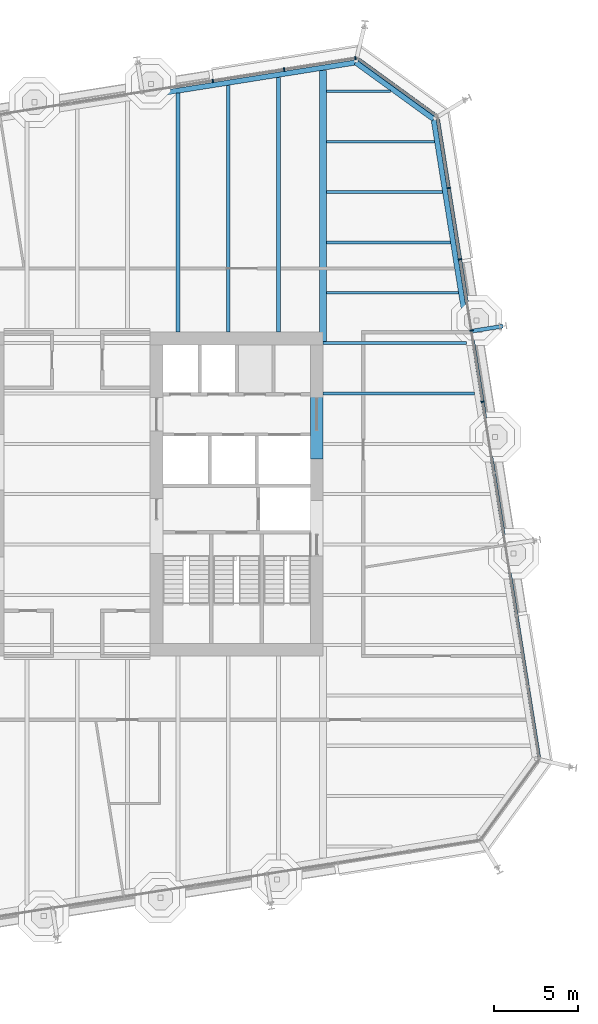
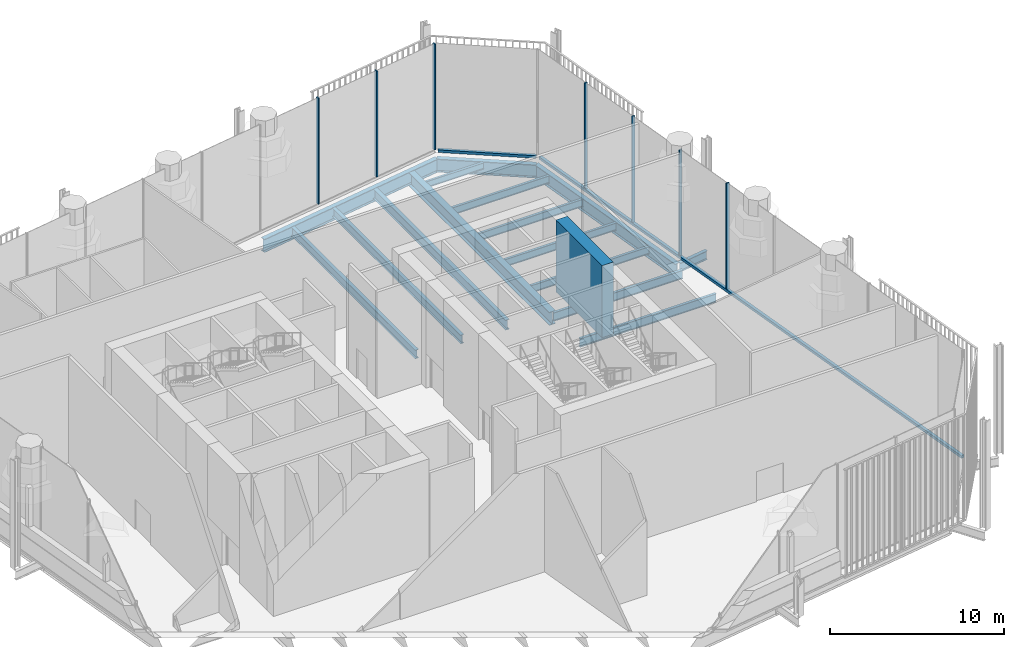
# One storey, part 8 of 19: 16 beams, 9 members, 3 elements without a shape of their own.
"""IFC4 building model written with IfcOpenShell, lengths in metres."""

from ifc_helpers import new_model, si_unit, direction, frame, origin, origin_2d, place, context, subcontext, project, spatial, rectangle, i_section, extrude, material, layer, layer_set, material_profile, profile_set, type_object, element, aggregate, save


model = new_model("IFC4")

# Units and contexts
model_context = context("Model", 3, precision=1e-05, world=origin(), true_north=direction((0.0, 1.0)))
body_context = subcontext(model_context, "Body", "Model", "MODEL_VIEW")
ifc_project = project(units=[si_unit("LENGTHUNIT", "METRE"), si_unit("AREAUNIT", "SQUARE_METRE"), si_unit("VOLUMEUNIT", "CUBIC_METRE"), si_unit("PLANEANGLEUNIT", "RADIAN"), si_unit("MASSUNIT", "GRAM", prefix="KILO")], contexts=[model_context])

# Site, building, storey
site_placement = place(None, origin())
site = spatial("IfcSite", under=ifc_project, at=site_placement, CompositionType="ELEMENT")
building_placement = place(site_placement, origin())
building = spatial("IfcBuilding", under=site, at=building_placement, Name="Millrace Tower", CompositionType="ELEMENT")
storey_placement = place(building_placement, frame((0.0, 0.0, 172.39990234375)))
storey = spatial("IfcBuildingStorey", under=building, at=storey_placement, Name="L39", CompositionType="ELEMENT", Elevation=172.39990234375)

# Curtain wall, members
ifc_material_1 = material(Name="Aluminium and glass", Category="aluminium")
ifc_layer = layer(ifc_material_1, 0.199951171875)
ifc_layer_set = layer_set([ifc_layer], Name="Aluminium and glass")
curtain_wall_type = type_object("IfcCurtainWallType", Name="CW-4 sky garden winter glazing", PredefinedType="NOTDEFINED", material=ifc_layer_set)
placement = place(storey_placement, origin())
curtain_wall_1 = element("IfcCurtainWall", 1, at=placement, inside=storey, type_object=curtain_wall_type, Name="Curtain wall C-F04 L39", PredefinedType="NOTDEFINED")
ifc_material_2 = material(Name="Aluminium", Category="aluminium")
ifc_material_profile_1 = material_profile(ifc_material_2, rectangle(XDim=0.080078125, YDim=0.199951171875, at=origin_2d()))
ifc_profile_set_1 = profile_set([ifc_material_profile_1], Name="Aluminium")
member_type_1 = type_object("IfcMemberType", Name="CW-4 sky garden winter glazing mullion", PredefinedType="MULLION", material=ifc_profile_set_1)
member_1_placement = place(storey_placement, frame((24.166748046875, 5.5048828125, 0.18017578125), z_axis=(0.0, 0.0, 1.0), x_axis=(-0.15643447328, 0.98768833929, 0.0)))
member_1 = element("IfcMember", 2, at=member_1_placement, type_object=member_type_1, Name="CW4 mullion C-F04.6", PredefinedType="MULLION", context=body_context, shape_type="SweptSolid", body=[
    extrude(rectangle(XDim=0.080078125, YDim=0.199951171875, at=origin_2d()), origin(), (0.0, 0.0, 1.0), 7.419921875),
])
member_2_placement = place(storey_placement, frame((23.494140625, 9.751953125, 0.18017578125), z_axis=(0.0, 0.0, 1.0), x_axis=(-0.15643447328, 0.98768833929, 0.0)))
member_2 = element("IfcMember", 3, at=member_2_placement, type_object=member_type_1, Name="CW4 mullion C-F04.7", PredefinedType="MULLION", context=body_context, shape_type="SweptSolid", body=[
    extrude(rectangle(XDim=0.080078125, YDim=0.199951171875, at=origin_2d()), origin(), (0.0, 0.0, 1.0), 7.419921875),
])
member_3_placement = place(storey_placement, frame((22.821533203125, 13.9990234375, 0.18017578125), z_axis=(0.0, 0.0, 1.0), x_axis=(-0.15643447328, 0.98768833929, 0.0)))
member_3 = element("IfcMember", 4, at=member_3_placement, type_object=member_type_1, Name="CW4 mullion C-F04.8", PredefinedType="MULLION", context=body_context, shape_type="SweptSolid", body=[
    extrude(rectangle(XDim=0.080078125, YDim=0.199951171875, at=origin_2d()), origin(), (0.0, 0.0, 1.0), 7.419921875),
])
member_4_placement = place(storey_placement, frame((22.14892578125, 18.24609375, 0.18017578125), z_axis=(0.0, 0.0, 1.0), x_axis=(-0.15643447328, 0.98768833929, 0.0)))
member_4 = element("IfcMember", 5, at=member_4_placement, type_object=member_type_1, Name="CW4 mullion C-F04.9", PredefinedType="MULLION", context=body_context, shape_type="SweptSolid", body=[
    extrude(rectangle(XDim=0.080078125, YDim=0.199951171875, at=origin_2d()), origin(), (0.0, 0.0, 1.0), 7.419921875),
])

curtain_wall_2 = element("IfcCurtainWall", 6, at=placement, inside=storey, type_object=curtain_wall_type, Name="Curtain wall C-F06 L39", PredefinedType="NOTDEFINED")
member_5_placement = place(storey_placement, frame((16.580322265625, 25.980224609375, 0.18017578125), z_axis=(0.0, 0.0, 1.0), x_axis=(-0.98768833929, -0.15643447328, 0.0)))
member_5 = element("IfcMember", 7, at=member_5_placement, type_object=member_type_1, Name="CW4 mullion C-F06.1", PredefinedType="MULLION", context=body_context, shape_type="SweptSolid", body=[
    extrude(rectangle(XDim=0.080078125, YDim=0.199951171875, at=origin_2d()), origin(), (0.0, 0.0, 1.0), 7.419921875),
])
member_6_placement = place(storey_placement, frame((12.333251953125, 25.3076171875, 0.18017578125), z_axis=(0.0, 0.0, 1.0), x_axis=(-0.98768833929, -0.15643447328, 0.0)))
member_6 = element("IfcMember", 8, at=member_6_placement, type_object=member_type_1, Name="CW4 mullion C-F06.2", PredefinedType="MULLION", context=body_context, shape_type="SweptSolid", body=[
    extrude(rectangle(XDim=0.080078125, YDim=0.199951171875, at=origin_2d()), origin(), (0.0, 0.0, 1.0), 7.419921875),
])
member_7_placement = place(storey_placement, frame((8.086181640625, 24.634765625, 0.18017578125), z_axis=(0.0, 0.0, 1.0), x_axis=(-0.98768833929, -0.15643447328, 0.0)))
member_7 = element("IfcMember", 9, at=member_7_placement, type_object=member_type_1, Name="CW4 mullion C-F06.3", PredefinedType="MULLION", context=body_context, shape_type="SweptSolid", body=[
    extrude(rectangle(XDim=0.080078125, YDim=0.199951171875, at=origin_2d()), origin(), (0.0, 0.0, 1.0), 7.419921875),
])
aggregate(curtain_wall_2, [member_5, member_6, member_7])

# Member
ifc_material_3 = material(Name="Aluminium", Category="aluminium")
ifc_material_profile_2 = material_profile(ifc_material_3, rectangle(XDim=0.199951171875, YDim=0.179931640625, at=origin_2d()))
ifc_profile_set_2 = profile_set([ifc_material_profile_2], Name="Aluminium")
member_type_2 = type_object("IfcMemberType", Name="CW-4 sky garden winter glazing transom", PredefinedType="USERDEFINED", material=ifc_profile_set_2)
member_8_placement = place(storey_placement, frame((27.520751953125, -15.671142578125, 0.090087890625), z_axis=(-0.156434402447, 0.987688350509, 0.0), x_axis=(-0.987688350509, -0.156434402447, 0.0)))
member_8 = element("IfcMember", 10, at=member_8_placement, type_object=member_type_2, Name="CW4 transom C-F04.1", ObjectType="TRANSOM", PredefinedType="USERDEFINED", context=body_context, shape_type="SweptSolid", body=[
    extrude(rectangle(XDim=0.199951171875, YDim=0.179931640625, at=origin_2d()), origin(), (0.0, 0.0, 1.0), 38.499755859375),
])

aggregate(curtain_wall_1, [member_1, member_2, member_3, member_4, member_8])

# Curtain wall, member
curtain_wall_3 = element("IfcCurtainWall", 11, at=placement, inside=storey, type_object=curtain_wall_type, Name="Curtain wall C-F05 L39", PredefinedType="NOTDEFINED")
member_9_placement = place(storey_placement, frame((21.361572265625, 22.57763671875, 0.090087890625), z_axis=(-0.809013470651, 0.587790102252, 0.0), x_axis=(-0.587790102252, -0.809013470651, 0.0)))
member_9 = element("IfcMember", 12, at=member_9_placement, type_object=member_type_2, Name="CW4 transom C-F05.1", ObjectType="TRANSOM", PredefinedType="USERDEFINED", context=body_context, shape_type="SweptSolid", body=[
    extrude(rectangle(XDim=0.199951171875, YDim=0.179931640625, at=origin_2d()), origin(), (0.0, 0.0, 1.0), 5.669189453125),
])
aggregate(curtain_wall_3, [member_9])

# Beams
ifc_material_4 = material(Name="Concrete C70", Category="concrete")
ifc_material_profile_3 = material_profile(ifc_material_4, rectangle(XDim=0.75, YDim=5.0400390625, at=origin_2d()))
ifc_profile_set_3 = profile_set([ifc_material_profile_3], Name="Concrete C70")
beam_type_1 = type_object("IfcBeamType", Name="Coupling beam 750 x 5040 Concrete C70, 2000 opening", PredefinedType="BEAM", material=ifc_profile_set_3)
beam_1_placement = place(storey_placement, frame((14.27490234375, 7.39599609375, 4.920166015625), z_axis=(0.0, -1.0, 0.0), x_axis=(1.0, 0.0, 0.0)))
element("IfcBeam", 13, at=beam_1_placement, inside=storey, type_object=beam_type_1, Name="Coupling beam E L39", PredefinedType="BEAM", context=body_context, shape_type="SweptSolid", body=[
    extrude(rectangle(XDim=0.75, YDim=5.0400390625, at=origin_2d()), origin(), (0.0, 0.0, 1.0), 5.2919921875),
])
ifc_material_5 = material(Name="Steel ASTM A992 Grade 50", Category="steel")
ifc_material_profile_4 = material_profile(ifc_material_5, i_section(OverallWidth=0.15234375, OverallDepth=0.449462890625, WebThickness=0.007568359375, FlangeThickness=0.0107421875, FilletRadius=0.01025390625, at=origin_2d()))
ifc_profile_set_4 = profile_set([ifc_material_profile_4], Name="Steel ASTM A992 Grade 50")
beam_type_2 = type_object("IfcBeamType", Name="Floor beam W18x35", PredefinedType="JOIST", material=ifc_profile_set_4)
beam_2_placement = place(storey_placement, frame((14.859619140625, 24.0, -0.474609375), z_axis=(1.0, 0.0, 0.0), x_axis=(0.0, 1.0, 0.0)))
element("IfcBeam", 14, at=beam_2_placement, inside=storey, type_object=beam_type_2, Name="BM-C-L39-S1-S038", PredefinedType="JOIST", context=body_context, shape_type="SweptSolid", body=[
    extrude(i_section(OverallWidth=0.15234375, OverallDepth=0.449462890625, WebThickness=0.007568359375, FlangeThickness=0.0107421875, FilletRadius=0.01025390625, at=origin_2d()), origin(), (0.0, 0.0, 1.0), 3.8232421875),
])
ifc_material_6 = material(Name="Steel ASTM A992 Grade 50", Category="steel")
ifc_material_profile_5 = material_profile(ifc_material_6, i_section(OverallWidth=0.1650390625, OverallDepth=0.52587890625, WebThickness=0.0087890625, FlangeThickness=0.011474609375, FilletRadius=0.0126953125, at=origin_2d()))
ifc_profile_set_5 = profile_set([ifc_material_profile_5], Name="Steel ASTM A992 Grade 50")
beam_type_3 = type_object("IfcBeamType", Name="Floor beam W21x44", PredefinedType="JOIST", material=ifc_profile_set_5)
beam_3_placement = place(storey_placement, frame((14.859619140625, 12.0, -0.5126953125), z_axis=(1.0, 0.0, 0.0), x_axis=(0.0, 1.0, 0.0)))
element("IfcBeam", 15, at=beam_3_placement, inside=storey, type_object=beam_type_3, Name="BM-C-L39-S1-S032", PredefinedType="JOIST", context=body_context, shape_type="SweptSolid", body=[
    extrude(i_section(OverallWidth=0.1650390625, OverallDepth=0.52587890625, WebThickness=0.0087890625, FlangeThickness=0.011474609375, FilletRadius=0.0126953125, at=origin_2d()), origin(), (0.0, 0.0, 1.0), 7.8662109375),
])
beam_4_placement = place(storey_placement, frame((14.859619140625, 15.0, -0.5126953125), z_axis=(1.0, 0.0, 0.0), x_axis=(0.0, 1.0, 0.0)))
element("IfcBeam", 16, at=beam_4_placement, inside=storey, type_object=beam_type_3, Name="BM-C-L39-S1-S034", PredefinedType="JOIST", context=body_context, shape_type="SweptSolid", body=[
    extrude(i_section(OverallWidth=0.1650390625, OverallDepth=0.52587890625, WebThickness=0.0087890625, FlangeThickness=0.011474609375, FilletRadius=0.0126953125, at=origin_2d()), origin(), (0.0, 0.0, 1.0), 7.390869140625),
])
beam_5_placement = place(storey_placement, frame((14.859619140625, 18.0, -0.5126953125), z_axis=(1.0, 0.0, 0.0), x_axis=(0.0, 1.0, 0.0)))
element("IfcBeam", 17, at=beam_5_placement, inside=storey, type_object=beam_type_3, Name="BM-C-L39-S1-S036", PredefinedType="JOIST", context=body_context, shape_type="SweptSolid", body=[
    extrude(i_section(OverallWidth=0.1650390625, OverallDepth=0.52587890625, WebThickness=0.0087890625, FlangeThickness=0.011474609375, FilletRadius=0.0126953125, at=origin_2d()), origin(), (0.0, 0.0, 1.0), 6.915771484375),
])
beam_6_placement = place(storey_placement, frame((14.859619140625, 21.0, -0.5126953125), z_axis=(1.0, 0.0, 0.0), x_axis=(0.0, 1.0, 0.0)))
element("IfcBeam", 18, at=beam_6_placement, inside=storey, type_object=beam_type_3, Name="BM-C-L39-S1-S037", PredefinedType="JOIST", context=body_context, shape_type="SweptSolid", body=[
    extrude(i_section(OverallWidth=0.1650390625, OverallDepth=0.52587890625, WebThickness=0.0087890625, FlangeThickness=0.011474609375, FilletRadius=0.0126953125, at=origin_2d()), origin(), (0.0, 0.0, 1.0), 6.440673828125),
])
ifc_material_7 = material(Name="Steel ASTM A992 Grade 50", Category="steel")
ifc_material_profile_6 = material_profile(ifc_material_7, i_section(OverallWidth=0.177978515625, OverallDepth=0.599365234375, WebThickness=0.010009765625, FlangeThickness=0.012939453125, FilletRadius=0.012939453125, at=origin_2d()))
ifc_profile_set_6 = profile_set([ifc_material_profile_6], Name="Steel ASTM A992 Grade 50")
beam_type_4 = type_object("IfcBeamType", Name="Floor beam W24x55", PredefinedType="JOIST", material=ifc_profile_set_6)
beam_7_placement = place(storey_placement, frame((14.64990234375, 6.0, -0.549560546875), z_axis=(1.0, 0.0, 0.0), x_axis=(0.0, 1.0, 0.0)))
element("IfcBeam", 19, at=beam_7_placement, inside=storey, type_object=beam_type_4, Name="BM-C-L39-S1-S027", PredefinedType="JOIST", context=body_context, shape_type="SweptSolid", body=[
    extrude(i_section(OverallWidth=0.177978515625, OverallDepth=0.599365234375, WebThickness=0.010009765625, FlangeThickness=0.012939453125, FilletRadius=0.012939453125, at=origin_2d()), origin(), (0.0, 0.0, 1.0), 9.026123046875),
])
beam_8_placement = place(storey_placement, frame((14.64990234375, 9.0, -0.549560546875), z_axis=(1.0, 0.0, 0.0), x_axis=(0.0, 1.0, 0.0)))
element("IfcBeam", 20, at=beam_8_placement, inside=storey, type_object=beam_type_4, Name="BM-C-L39-S1-S030", PredefinedType="JOIST", context=body_context, shape_type="SweptSolid", body=[
    extrude(i_section(OverallWidth=0.177978515625, OverallDepth=0.599365234375, WebThickness=0.010009765625, FlangeThickness=0.012939453125, FilletRadius=0.012939453125, at=origin_2d()), origin(), (0.0, 0.0, 1.0), 8.551025390625),
])
ifc_material_8 = material(Name="Steel ASTM A992 Grade 50", Category="steel")
ifc_material_profile_7 = material_profile(ifc_material_8, i_section(OverallWidth=0.228271484375, OverallDepth=0.607177734375, WebThickness=0.01123046875, FlangeThickness=0.017333984375, FilletRadius=0.0126953125, at=origin_2d()))
ifc_profile_set_7 = profile_set([ifc_material_profile_7], Name="Steel ASTM A992 Grade 50")
beam_type_5 = type_object("IfcBeamType", Name="Floor beam W24x76", PredefinedType="JOIST", material=ifc_profile_set_7)
beam_9_placement = place(storey_placement, frame((6.0, 9.64990234375, -0.553466796875), z_axis=(0.0, 1.0, 0.0), x_axis=(-1.0, 0.0, 0.0)))
element("IfcBeam", 21, at=beam_9_placement, inside=storey, type_object=beam_type_5, Name="BM-C-L39-S1-S051", PredefinedType="JOIST", context=body_context, shape_type="SweptSolid", body=[
    extrude(i_section(OverallWidth=0.228271484375, OverallDepth=0.607177734375, WebThickness=0.01123046875, FlangeThickness=0.017333984375, FilletRadius=0.0126953125, at=origin_2d()), origin(), (0.0, 0.0, 1.0), 14.2421875),
])
beam_10_placement = place(storey_placement, frame((9.0, 9.64990234375, -0.553466796875), z_axis=(0.0, 1.0, 0.0), x_axis=(-1.0, 0.0, 0.0)))
element("IfcBeam", 22, at=beam_10_placement, inside=storey, type_object=beam_type_5, Name="BM-C-L39-S1-S053", PredefinedType="JOIST", context=body_context, shape_type="SweptSolid", body=[
    extrude(i_section(OverallWidth=0.228271484375, OverallDepth=0.607177734375, WebThickness=0.01123046875, FlangeThickness=0.017333984375, FilletRadius=0.0126953125, at=origin_2d()), origin(), (0.0, 0.0, 1.0), 14.71728515625),
])
ifc_material_9 = material(Name="Steel ASTM A992 Grade 50", Category="steel")
ifc_material_profile_8 = material_profile(ifc_material_9, i_section(OverallWidth=0.256591796875, OverallDepth=0.693359375, WebThickness=0.014404296875, FlangeThickness=0.023681640625, FilletRadius=0.01513671875, at=origin_2d()))
ifc_profile_set_8 = profile_set([ifc_material_profile_8], Name="Steel ASTM A992 Grade 50")
beam_type_6 = type_object("IfcBeamType", Name="Floor beam W27x114", PredefinedType="JOIST", material=ifc_profile_set_8)
beam_11_placement = place(storey_placement, frame((12.0, 9.64990234375, -0.5966796875), z_axis=(0.0, 1.0, 0.0), x_axis=(-1.0, 0.0, 0.0)))
element("IfcBeam", 23, at=beam_11_placement, inside=storey, type_object=beam_type_6, Name="BM-C-L39-S1-S055", PredefinedType="JOIST", context=body_context, shape_type="SweptSolid", body=[
    extrude(i_section(OverallWidth=0.256591796875, OverallDepth=0.693359375, WebThickness=0.014404296875, FlangeThickness=0.023681640625, FilletRadius=0.01513671875, at=origin_2d()), origin(), (0.0, 0.0, 1.0), 15.1923828125),
])
ifc_material_10 = material(Name="Steel ASTM A992 Grade 50", Category="steel")
ifc_material_profile_9 = material_profile(ifc_material_10, i_section(OverallWidth=0.419189453125, OverallDepth=0.927001953125, WebThickness=0.019287109375, FlangeThickness=0.031982421875, FilletRadius=0.024169921875, at=origin_2d()))
ifc_profile_set_9 = profile_set([ifc_material_profile_9], Name="Steel ASTM A992 Grade 50")
beam_type_7 = type_object("IfcBeamType", Name="Girder medium span W36x231", PredefinedType="BEAM", material=ifc_profile_set_9)
beam_12_placement = place(storey_placement, frame((14.64990234375, 9.090087890625, -0.71337890625), z_axis=(0.0, 1.0, 0.0), x_axis=(-1.0, 0.0, 0.0)))
element("IfcBeam", 24, at=beam_12_placement, inside=storey, type_object=beam_type_7, Name="BM-C-L39-S1-G059", PredefinedType="BEAM", context=body_context, shape_type="SweptSolid", body=[
    extrude(i_section(OverallWidth=0.419189453125, OverallDepth=0.927001953125, WebThickness=0.019287109375, FlangeThickness=0.031982421875, FilletRadius=0.024169921875, at=origin_2d()), origin(), (0.0, 0.0, 1.0), 16.1640625),
])
ifc_material_11 = material(Name="Steel ASTM A992 Grade 50", Category="steel")
ifc_material_profile_10 = material_profile(ifc_material_11, i_section(OverallWidth=0.23046875, OverallDepth=0.6171875, WebThickness=0.01318359375, FlangeThickness=0.022216796875, FilletRadius=0.012939453125, at=origin_2d()))
ifc_profile_set_10 = profile_set([ifc_material_profile_10], Name="Steel ASTM A992 Grade 50")
beam_type_8 = type_object("IfcBeamType", Name="Link beam W24x94", PredefinedType="BEAM", material=ifc_profile_set_10)
beam_13_placement = place(storey_placement, frame((23.401611328125, 9.69677734375, -0.55859375), z_axis=(0.987678691416, 0.156495375404, 0.0), x_axis=(-0.156495375404, 0.987678691416, 0.0)))
element("IfcBeam", 25, at=beam_13_placement, inside=storey, type_object=beam_type_8, Name="LNK-C-L39-S1-10", PredefinedType="BEAM", context=body_context, shape_type="SweptSolid", body=[
    extrude(i_section(OverallWidth=0.23046875, OverallDepth=0.6171875, WebThickness=0.01318359375, FlangeThickness=0.022216796875, FilletRadius=0.012939453125, at=origin_2d()), origin(), (0.0, 0.0, 1.0), 2.0),
])
ifc_material_12 = material(Name="Steel ASTM A992 Grade 50", Category="steel")
ifc_material_profile_11 = material_profile(ifc_material_12, i_section(OverallWidth=0.307373046875, OverallDepth=0.927001953125, WebThickness=0.01953125, FlangeThickness=0.031982421875, FilletRadius=0.01904296875, at=origin_2d()))
ifc_profile_set_11 = profile_set([ifc_material_profile_11], Name="Steel ASTM A992 Grade 50")
beam_type_9 = type_object("IfcBeamType", Name="Ring beam medium span W36x194", PredefinedType="SPANDREL", material=ifc_profile_set_11)
for number, where, z_axis, x_axis, name in (
    (26, (3.91845703125, 23.718017578125, -0.71337890625), (0.987690996996, 0.156417692264, 0.0), (-0.156417692264, 0.987690996996, 0.0), "RNG-C-L39-S1-07"),
    (27, (21.241943359375, 22.35107421875, -0.71337890625), (0.156436246498, -0.987688058438, 0.0), (0.987688058438, 0.156436246498, 0.0), "RNG-C-L39-S1-09"),
):
    element("IfcBeam", number, at=place(storey_placement, frame(where, z_axis=z_axis, x_axis=x_axis)), inside=storey, type_object=beam_type_9, Name=name, PredefinedType="SPANDREL", context=body_context, shape_type="SweptSolid", body=[
        extrude(i_section(OverallWidth=0.307373046875, OverallDepth=0.927001953125, WebThickness=0.01953125, FlangeThickness=0.031982421875, FilletRadius=0.01904296875, at=origin_2d()), origin(), (0.0, 0.0, 1.0), 12.836181640625),
    ])
ifc_material_13 = material(Name="Steel ASTM A992 Grade 50", Category="steel")
ifc_material_profile_12 = material_profile(ifc_material_13, i_section(OverallWidth=0.307373046875, OverallDepth=0.927001953125, WebThickness=0.01953125, FlangeThickness=0.031982421875, FilletRadius=0.01904296875, at=origin_2d()))
ifc_profile_set_12 = profile_set([ifc_material_profile_12], Name="Steel ASTM A992 Grade 50")
beam_type_10 = type_object("IfcBeamType", Name="Ring beam short span W36x194", PredefinedType="SPANDREL", material=ifc_profile_set_12)
beam_14_placement = place(storey_placement, frame((16.5966796875, 25.725830078125, -0.71337890625), z_axis=(0.809035690681, -0.587759518174, 0.0), x_axis=(0.587759518174, 0.809035690681, 0.0)))
element("IfcBeam", 28, at=beam_14_placement, inside=storey, type_object=beam_type_10, Name="RNG-C-L39-S1-08", PredefinedType="SPANDREL", context=body_context, shape_type="SweptSolid", body=[
    extrude(i_section(OverallWidth=0.307373046875, OverallDepth=0.927001953125, WebThickness=0.01953125, FlangeThickness=0.031982421875, FilletRadius=0.01904296875, at=origin_2d()), origin(), (0.0, 0.0, 1.0), 5.74169921875),
])

save(model, "model.ifc")
